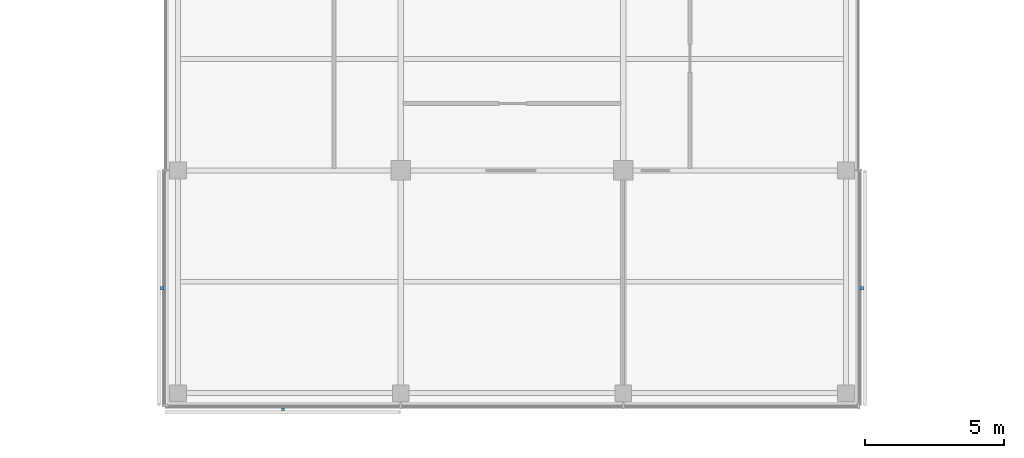
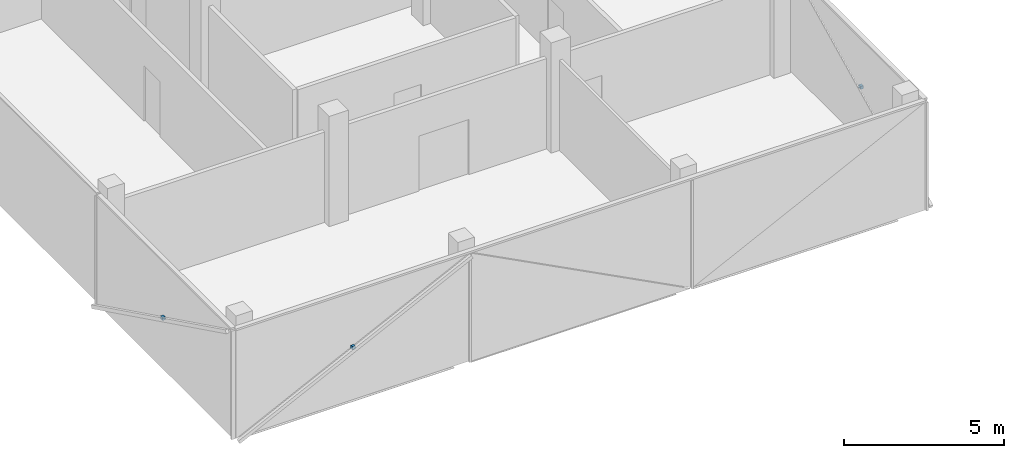
# One storey, part 13 of 15: 3 discrete accessories.
"""IFC4 building model written with IfcOpenShell, lengths in metres."""

from ifc_helpers import new_model, si_unit, direction, frame, origin, origin_2d, place, context, subcontext, project, spatial, rectangle, extrude, material, type_object, element, save


model = new_model("IFC4")

# Units and contexts
model_context = context("Model", 3, precision=1e-05, world=origin(), true_north=direction((0.0, 1.0)))
body_context = subcontext(model_context, "Body", "Model", "MODEL_VIEW")
ifc_project = project(units=[si_unit("LENGTHUNIT", "METRE"), si_unit("AREAUNIT", "SQUARE_METRE"), si_unit("VOLUMEUNIT", "CUBIC_METRE"), si_unit("PLANEANGLEUNIT", "RADIAN"), si_unit("MASSUNIT", "GRAM", prefix="KILO")], contexts=[model_context])

# Site, building, storey
site_placement = place(None, origin())
site = spatial("IfcSite", under=ifc_project, at=site_placement, CompositionType="ELEMENT")
building_placement = place(site_placement, origin())
building = spatial("IfcBuilding", under=site, at=building_placement, Name="Crosswind Convention Tower", CompositionType="ELEMENT")
storey_placement = place(building_placement, frame((0.0, 0.0, 261.89990234375)))
storey = spatial("IfcBuildingStorey", under=building, at=storey_placement, Name="L56", CompositionType="ELEMENT", Elevation=261.89990234375)

# Discrete accessories
ifc_material = material(Name="Stainless steel", Category="steel")
discrete_accessory_type = type_object("IfcDiscreteAccessoryType", Name="BAGUETTE BRACKET BK3", PredefinedType="BRACKET", material=ifc_material)
for number, where, z_axis, x_axis, name in (
    (1, (112.424072265625, 75.77001953125, 1.705078125), (0.0, 0.0, 1.0), (0.0, -1.0, 0.0), "BK3 baguette bracket"),
    (2, (116.77001953125, 71.424072265625, 1.705078125), (0.0, 0.0, 1.0), (1.0, 0.0, 0.0), "BK3 baguette bracket"),
    (3, (137.575927734375, 75.77001953125, 1.705078125), (0.0, 0.0, 1.0), (0.0, 1.0, 0.0), "BK3 baguette bracket"),
):
    element("IfcDiscreteAccessory", number, at=place(storey_placement, frame(where, z_axis=z_axis, x_axis=x_axis)), inside=storey, type_object=discrete_accessory_type, Name=name, PredefinedType="BRACKET", context=body_context, shape_type="SweptSolid", body=[
        extrude(rectangle(XDim=0.1201171875, YDim=0.10009765625, at=origin_2d()), origin(), (0.0, 0.0, 1.0), 0.1201171875),
    ])

save(model, "model.ifc")
